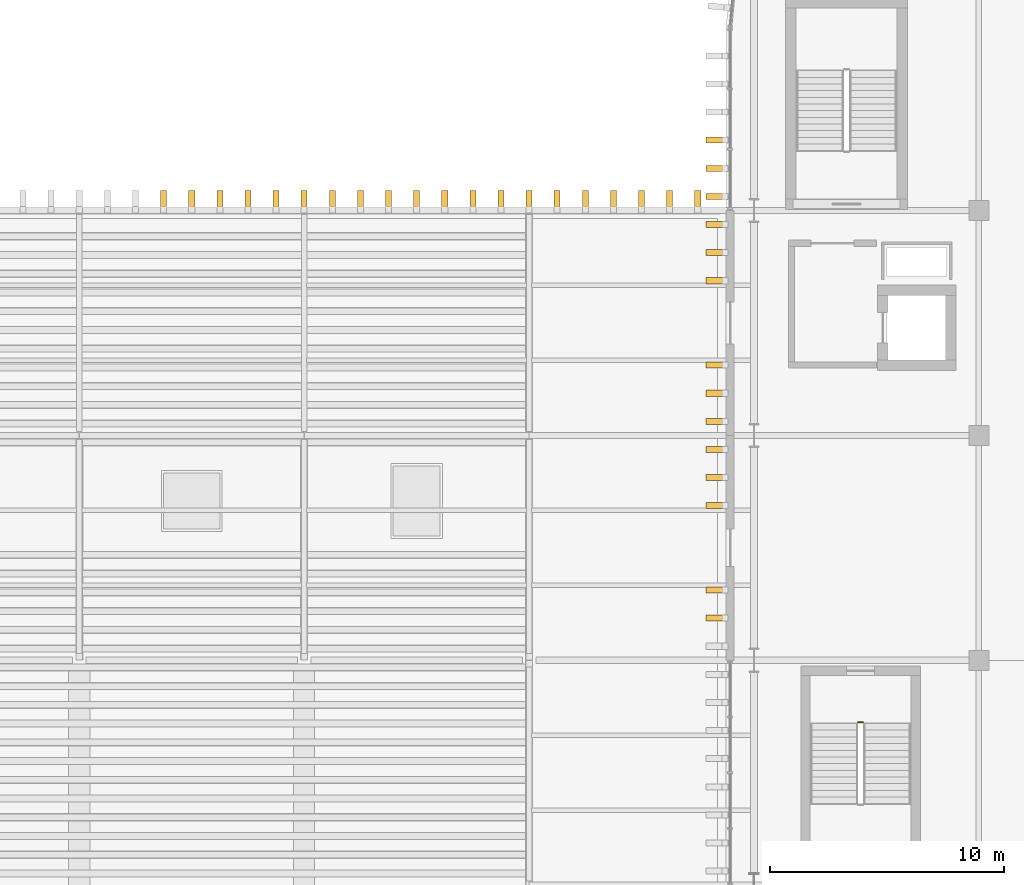
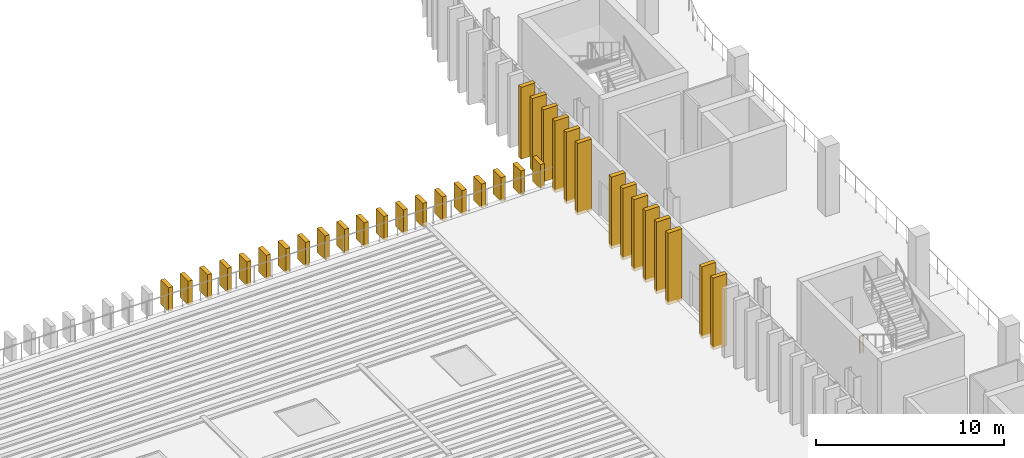
# One storey, part 79 of 92: 34 coverings, 1 railing.
"""IFC4 building model written with IfcOpenShell, lengths in metres."""

from ifc_helpers import new_model, si_unit, direction, frame, origin, origin_2d, place, context, subcontext, project, spatial, rectangle, circle, extrude, material, material_profile, profile_set, type_object, element, save


model = new_model("IFC4")

# Units and contexts
model_context = context("Model", 3, precision=1e-05, world=origin(), true_north=direction((0.0, 1.0)))
body_context = subcontext(model_context, "Body", "Model", "MODEL_VIEW")
ifc_project = project(units=[si_unit("LENGTHUNIT", "METRE"), si_unit("AREAUNIT", "SQUARE_METRE"), si_unit("VOLUMEUNIT", "CUBIC_METRE"), si_unit("PLANEANGLEUNIT", "RADIAN"), si_unit("MASSUNIT", "GRAM", prefix="KILO")], contexts=[model_context])

# Site, building, storey
site_placement = place(None, origin())
site = spatial("IfcSite", under=ifc_project, at=site_placement, CompositionType="ELEMENT")
building_placement = place(site_placement, origin())
building = spatial("IfcBuilding", under=site, at=building_placement, Name="Caelomonte Colonnade Arena", CompositionType="ELEMENT")
storey_placement = place(building_placement, frame((0.0, 0.0, 9.60009765625)))
storey = spatial("IfcBuildingStorey", under=building, at=storey_placement, Name="L02", CompositionType="ELEMENT", Elevation=9.60009765625)

# Coverings
ifc_material_1 = material(Name="Precast travertine cladding", Category="masonry")
ifc_material_profile = material_profile(ifc_material_1, rectangle(XDim=0.260009765625, YDim=0.85009765625, at=origin_2d()), Name="FIN260X850")
ifc_profile_set = profile_set([ifc_material_profile], Name="Precast travertine cladding")
covering_type = type_object("IfcCoveringType", Name="ENV-FN-SHAFT", PredefinedType="CLADDING", material=ifc_profile_set)
for number, where, z_axis, x_axis, name in (
    (1, (55.97900390625, 89.39990234375, -0.16015625), (0.0, 0.0, 1.0), (0.0, 1.0, 0.0), "V1 L02 classical travertine vertical fin 174"),
    (2, (55.97900390625, 88.199951171875, -0.16015625), (0.0, 0.0, 1.0), (0.0, 1.0, 0.0), "V1 L02 classical travertine vertical fin 175"),
    (3, (55.97900390625, 87.0, -0.16015625), (0.0, 0.0, 1.0), (0.0, 1.0, 0.0), "V1 L02 classical travertine vertical fin 176"),
    (4, (55.97900390625, 85.800048828125, -0.16015625), (0.0, 0.0, 1.0), (0.0, 1.0, 0.0), "V1 L02 classical travertine vertical fin 177"),
    (5, (55.97900390625, 84.60009765625, -0.16015625), (0.0, 0.0, 1.0), (0.0, 1.0, 0.0), "V1 L02 classical travertine vertical fin 178"),
    (6, (55.97900390625, 83.39990234375, -0.16015625), (0.0, 0.0, 1.0), (0.0, 1.0, 0.0), "V1 L02 classical travertine vertical fin 179"),
    (7, (55.97900390625, 79.800048828125, -0.16015625), (0.0, 0.0, 1.0), (0.0, 1.0, 0.0), "V1 L02 classical travertine vertical fin 182"),
    (8, (55.97900390625, 78.60009765625, -0.16015625), (0.0, 0.0, 1.0), (0.0, 1.0, 0.0), "V1 L02 classical travertine vertical fin 183"),
    (9, (55.97900390625, 77.39990234375, -0.16015625), (0.0, 0.0, 1.0), (0.0, 1.0, 0.0), "V1 L02 classical travertine vertical fin 184"),
    (10, (55.97900390625, 76.199951171875, -0.16015625), (0.0, 0.0, 1.0), (0.0, 1.0, 0.0), "V1 L02 classical travertine vertical fin 185"),
    (11, (55.97900390625, 75.0, -0.16015625), (0.0, 0.0, 1.0), (0.0, 1.0, 0.0), "V1 L02 classical travertine vertical fin 186"),
    (12, (55.97900390625, 73.800048828125, -0.16015625), (0.0, 0.0, 1.0), (0.0, 1.0, 0.0), "V1 L02 classical travertine vertical fin 187"),
    (13, (55.97900390625, 70.199951171875, -0.16015625), (0.0, 0.0, 1.0), (0.0, 1.0, 0.0), "V1 L02 classical travertine vertical fin 190"),
    (14, (55.97900390625, 69.0, -0.16015625), (0.0, 0.0, 1.0), (0.0, 1.0, 0.0), "V1 L02 classical travertine vertical fin 191"),
):
    element("IfcCovering", number, at=place(storey_placement, frame(where, z_axis=z_axis, x_axis=x_axis)), inside=storey, type_object=covering_type, Name=name, PredefinedType="CLADDING", context=body_context, shape_type="SweptSolid", body=[
        extrude(rectangle(XDim=0.260009765625, YDim=0.85009765625, at=origin_2d()), origin(), (0.0, 0.0, 1.0), 4.66015625),
    ])
for number, where, z_axis, x_axis, name in (
    (15, (55.199951171875, 86.821044921875, -0.16015625), (0.0, 0.0, 1.0), (1.0, 0.0, 0.0), "V5 L02 classical travertine vertical fin 96"),
    (16, (54.0, 86.821044921875, -0.16015625), (0.0, 0.0, 1.0), (1.0, 0.0, 0.0), "V5 L02 classical travertine vertical fin 97"),
    (17, (52.800048828125, 86.821044921875, -0.16015625), (0.0, 0.0, 1.0), (1.0, 0.0, 0.0), "V5 L02 classical travertine vertical fin 98"),
    (18, (51.60009765625, 86.821044921875, -0.16015625), (0.0, 0.0, 1.0), (1.0, 0.0, 0.0), "V5 L02 classical travertine vertical fin 99"),
    (19, (50.39990234375, 86.821044921875, -0.16015625), (0.0, 0.0, 1.0), (1.0, 0.0, 0.0), "V5 L02 classical travertine vertical fin 100"),
    (20, (49.199951171875, 86.821044921875, -0.16015625), (0.0, 0.0, 1.0), (1.0, 0.0, 0.0), "V5 L02 classical travertine vertical fin 101"),
    (21, (48.0, 86.821044921875, -0.16015625), (0.0, 0.0, 1.0), (1.0, 0.0, 0.0), "V5 L02 classical travertine vertical fin 102"),
    (22, (46.800048828125, 86.821044921875, -0.16015625), (0.0, 0.0, 1.0), (1.0, 0.0, 0.0), "V5 L02 classical travertine vertical fin 103"),
    (23, (45.60009765625, 86.821044921875, -0.16015625), (0.0, 0.0, 1.0), (1.0, 0.0, 0.0), "V5 L02 classical travertine vertical fin 104"),
    (24, (44.39990234375, 86.821044921875, -0.16015625), (0.0, 0.0, 1.0), (1.0, 0.0, 0.0), "V5 L02 classical travertine vertical fin 105"),
    (25, (43.199951171875, 86.821044921875, -0.16015625), (0.0, 0.0, 1.0), (1.0, 0.0, 0.0), "V5 L02 classical travertine vertical fin 106"),
    (26, (42.0, 86.821044921875, -0.16015625), (0.0, 0.0, 1.0), (1.0, 0.0, 0.0), "V5 L02 classical travertine vertical fin 107"),
    (27, (40.800048828125, 86.821044921875, -0.16015625), (0.0, 0.0, 1.0), (1.0, 0.0, 0.0), "V5 L02 classical travertine vertical fin 108"),
    (28, (39.60009765625, 86.821044921875, -0.16015625), (0.0, 0.0, 1.0), (1.0, 0.0, 0.0), "V5 L02 classical travertine vertical fin 109"),
    (29, (38.39990234375, 86.821044921875, -0.16015625), (0.0, 0.0, 1.0), (1.0, 0.0, 0.0), "V5 L02 classical travertine vertical fin 110"),
    (30, (37.199951171875, 86.821044921875, -0.16015625), (0.0, 0.0, 1.0), (1.0, 0.0, 0.0), "V5 L02 classical travertine vertical fin 111"),
    (31, (36.0, 86.821044921875, -0.16015625), (0.0, 0.0, 1.0), (1.0, 0.0, 0.0), "V5 L02 classical travertine vertical fin 112"),
    (32, (34.800048828125, 86.821044921875, -0.16015625), (0.0, 0.0, 1.0), (1.0, 0.0, 0.0), "V5 L02 classical travertine vertical fin 113"),
    (33, (33.60009765625, 86.821044921875, -0.16015625), (0.0, 0.0, 1.0), (1.0, 0.0, 0.0), "V5 L02 classical travertine vertical fin 114"),
    (34, (32.39990234375, 86.821044921875, -0.16015625), (0.0, 0.0, 1.0), (1.0, 0.0, 0.0), "V5 L02 classical travertine vertical fin 115"),
):
    element("IfcCovering", number, at=place(storey_placement, frame(where, z_axis=z_axis, x_axis=x_axis)), inside=storey, type_object=covering_type, Name=name, PredefinedType="CLADDING", context=body_context, shape_type="SweptSolid", body=[
        extrude(rectangle(XDim=0.260009765625, YDim=0.85009765625, at=origin_2d()), origin(), (0.0, 0.0, 1.0), 1.56005859375),
    ])

# Railing
ifc_material_2 = material(Name="Painted galvanized steel stair guard", Category="steel")
railing_type = type_object("IfcRailingType", Name="INT-RL-GRD", PredefinedType="GUARDRAIL", material=ifc_material_2)
railing_placement = place(storey_placement, frame((62.050048828125, 64.550048828125, 0.0)))
element("IfcRailing", 35, at=railing_placement, inside=storey, type_object=railing_type, Name="L02 ST-09 stair guard 4", PredefinedType="GUARDRAIL", context=body_context, shape_type="SweptSolid", body=[
    extrude(circle(Radius=0.02392578125, at=origin_2d()), frame((0.0, 0.0, 1.076171875), z_axis=(1.0, 0.0, 0.0), x_axis=(0.0, 1.0, 0.0)), (0.0, 0.0, 1.0), 0.199951171875),
    extrude(circle(Radius=0.02099609375, at=origin_2d()), origin(), (0.0, 0.0, 1.0), 1.048095703125),
    extrude(circle(Radius=0.02099609375, at=origin_2d()), frame((0.199951171875, 0.0, 0.0)), (0.0, 0.0, 1.0), 1.048095703125),
])

save(model, "model.ifc")
